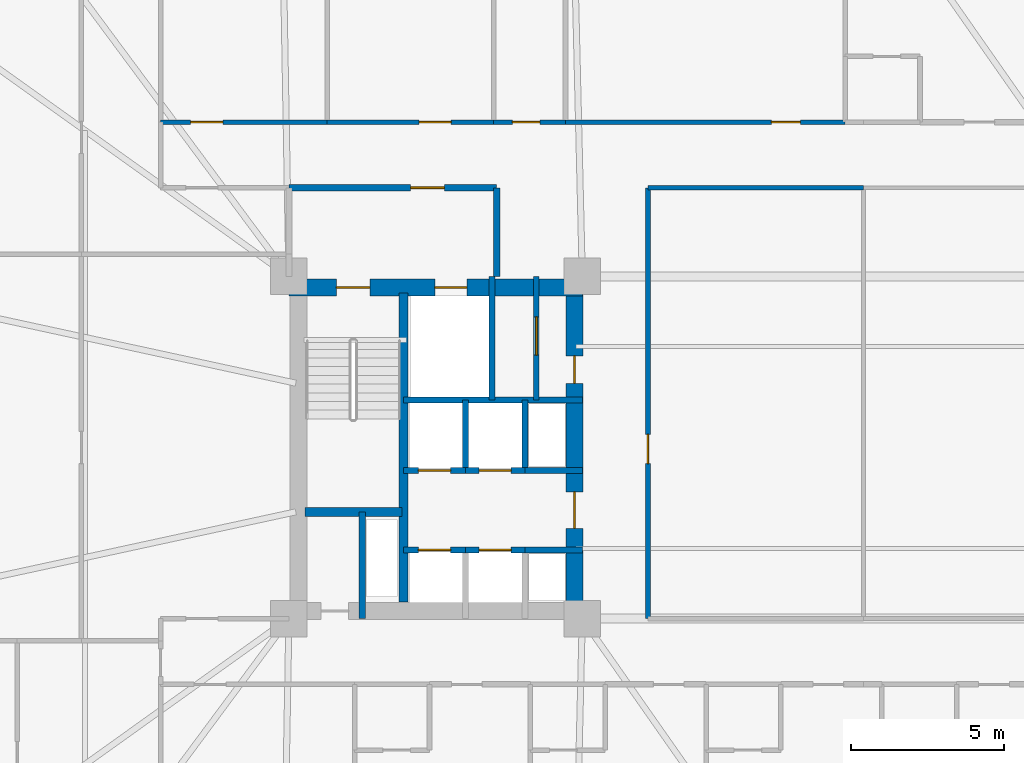
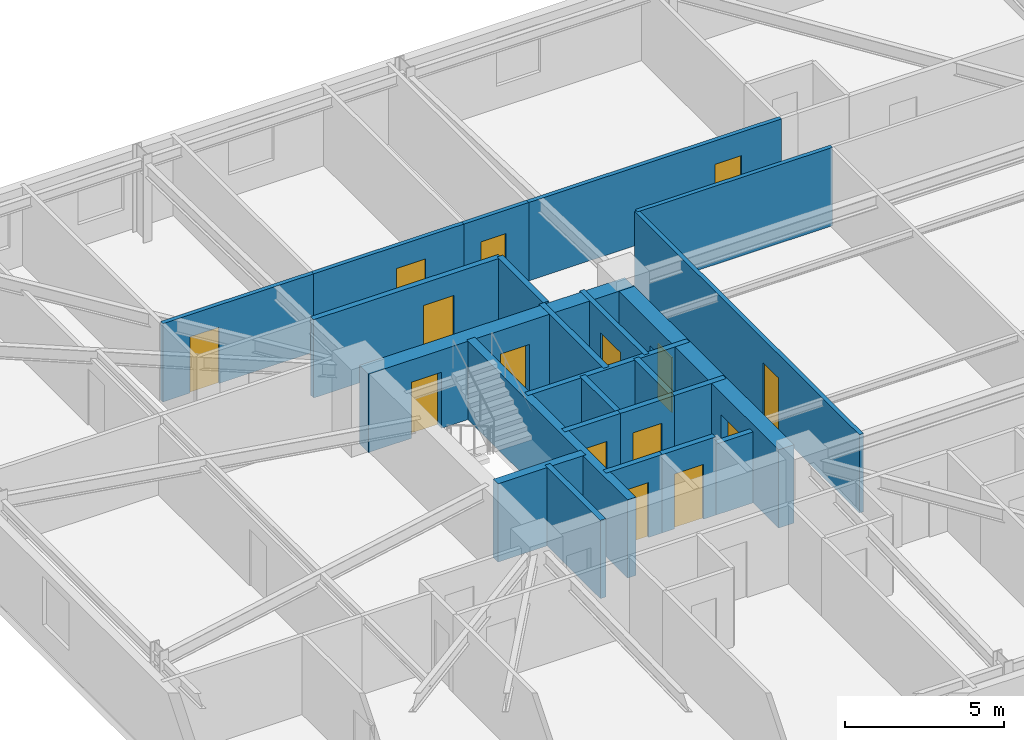
# One storey, part 15 of 20: 24 walls, 15 doors, 15 openings.
"""IFC4 building model written with IfcOpenShell, lengths in metres."""

from ifc_helpers import new_model, si_unit, direction, frame, frame_2d, origin, place, context, subcontext, project, spatial, rectangle, extrude, material, layer, layer_set, type_object, element, fill, save


model = new_model("IFC4")

# Units and contexts
model_context = context("Model", 3, precision=1e-05, world=origin(), true_north=direction((0.0, 1.0)))
body_context = subcontext(model_context, "Body", "Model", "MODEL_VIEW")
ifc_project = project(units=[si_unit("LENGTHUNIT", "METRE"), si_unit("AREAUNIT", "SQUARE_METRE"), si_unit("VOLUMEUNIT", "CUBIC_METRE"), si_unit("PLANEANGLEUNIT", "RADIAN"), si_unit("MASSUNIT", "GRAM", prefix="KILO")], contexts=[model_context])

# Site, building, storey
site_placement = place(None, origin())
site = spatial("IfcSite", under=ifc_project, at=site_placement, CompositionType="ELEMENT")
building_placement = place(site_placement, origin())
building = spatial("IfcBuilding", under=site, at=building_placement, Name="Qobustan Lattice House", CompositionType="ELEMENT")
storey_placement = place(building_placement, frame((0.0, 0.0, 70.550048828125)))
storey = spatial("IfcBuildingStorey", under=building, at=storey_placement, Name="L19", CompositionType="ELEMENT", Elevation=70.550048828125)

# Wall, openings, doors
ifc_material_1 = material(Name="Concrete C60/75", Category="concrete")
ifc_layer_1 = layer(ifc_material_1, 0.56005859375)
ifc_layer_set_1 = layer_set([ifc_layer_1], Name="Concrete C60/75")
wall_type_1 = type_object("IfcWallType", Name="WAL-CORE-600", PredefinedType="SHEAR", material=ifc_layer_set_1)
wall_1_placement = place(storey_placement, frame((-18.800048828125, 5.239990234375, 0.0), z_axis=(0.0, 0.0, 1.0), x_axis=(1.0, 0.0, 0.0)))
wall_1 = element("IfcWall", 1, at=wall_1_placement, inside=storey, type_object=wall_type_1, Name="L19 split-core shear wall CW-N", PredefinedType="SHEAR", context=body_context, shape_type="SweptSolid", body=[
    extrude(rectangle(XDim=9.60009765625, YDim=0.56005859375, at=frame_2d((4.800048828125, 0.0))), origin(), (0.0, 0.0, 1.0), 3.0),
])
opening_1_placement = place(wall_1_placement, frame((1.550048828125, 0.0, 0.0)))
opening_1 = element("IfcOpeningElement", 2, at=opening_1_placement, cuts=wall_1, Name="Opening SD-01", PredefinedType="OPENING", context=body_context, shape_type="SweptSolid", body=[
    extrude(rectangle(XDim=1.10009765625, YDim=2.14990234375, at=frame_2d((0.550048828125, 1.074951171875))), frame((0.0, 0.2900390625, 0.0), z_axis=(0.0, -1.0, 0.0), x_axis=(1.0, 0.0, 0.0)), (0.0, 0.0, 1.0), 0.580078125),
])
opening_2_placement = place(wall_1_placement, frame((4.77490234375, 0.0, 0.0)))
opening_2 = element("IfcOpeningElement", 3, at=opening_2_placement, cuts=wall_1, Name="Opening LD-01", PredefinedType="OPENING", context=body_context, shape_type="SweptSolid", body=[
    extrude(rectangle(XDim=1.050048828125, YDim=2.10009765625, at=frame_2d((0.52490234375, 1.050048828125))), frame((0.0, 0.2900390625, 0.0), z_axis=(0.0, -1.0, 0.0), x_axis=(1.0, 0.0, 0.0)), (0.0, 0.0, 1.0), 0.580078125),
])
ifc_material_2 = material(Name="Persian walnut timber and steel frame door", Category="steel")
door_type_1 = type_object("IfcDoorType", Name="DOR-LIFT-LD-1050x2100", OperationType="NOTDEFINED", PredefinedType="DOOR", material=ifc_material_2)
door_1_placement = place(opening_2_placement, origin())
door_1 = element("IfcDoor", 4, at=door_1_placement, inside=storey, type_object=door_type_1, Name="L19 firefighting lift FF-W landing door", OperationType="DOUBLE_DOOR_SLIDING", OverallHeight=2.10009765625, OverallWidth=1.050048828125, PredefinedType="DOOR", context=body_context, shape_type="SweptSolid", body=[
    extrude(rectangle(XDim=1.050048828125, YDim=2.10009765625, at=frame_2d((0.52490234375, 1.050048828125))), frame((0.0, 0.02490234375, 0.0), z_axis=(0.0, -1.0, 0.0), x_axis=(1.0, 0.0, 0.0)), (0.0, 0.0, 1.0), 0.050048828125),
])
fill(opening_2, door_1)
ifc_material_3 = material(Name="Persian walnut timber and steel frame door", Category="steel")
door_type_2 = type_object("IfcDoorType", Name="DOR-STAIR-FD-1100x2150", OperationType="NOTDEFINED", PredefinedType="DOOR", material=ifc_material_3)
door_2_placement = place(opening_1_placement, origin())
door_2 = element("IfcDoor", 5, at=door_2_placement, inside=storey, type_object=door_type_2, Name="L19 exit stair ST-W1 fire door", OperationType="SINGLE_SWING_LEFT", OverallHeight=2.14990234375, OverallWidth=1.10009765625, PredefinedType="DOOR", context=body_context, shape_type="SweptSolid", body=[
    extrude(rectangle(XDim=1.10009765625, YDim=2.14990234375, at=frame_2d((0.550048828125, 1.074951171875))), frame((0.0, 0.02490234375, 0.0), z_axis=(0.0, -1.0, 0.0), x_axis=(1.0, 0.0, 0.0)), (0.0, 0.0, 1.0), 0.050048828125),
])
fill(opening_1, door_2)

wall_2_placement = place(storey_placement, frame((-9.449951171875, -5.050048828125, 0.0), z_axis=(0.0, 0.0, 1.0), x_axis=(0.0, 1.0, 0.0)))
wall_2 = element("IfcWall", 6, at=wall_2_placement, inside=storey, type_object=wall_type_1, Name="L19 split-core shear wall CW-E", PredefinedType="SHEAR", context=body_context, shape_type="SweptSolid", body=[
    extrude(rectangle(XDim=10.10009765625, YDim=0.56005859375, at=frame_2d((5.050048828125, 0.0))), origin(), (0.0, 0.0, 1.0), 3.0),
])
opening_3_placement = place(wall_2_placement, frame((7.14990234375, 0.0, 0.0)))
opening_3 = element("IfcOpeningElement", 7, at=opening_3_placement, cuts=wall_2, Name="Opening RD-01", PredefinedType="OPENING", context=body_context, shape_type="SweptSolid", body=[
    extrude(rectangle(XDim=0.89990234375, YDim=2.10009765625, at=frame_2d((0.449951171875, 1.050048828125))), frame((0.0, 0.2900390625, 0.0), z_axis=(0.0, -1.0, 0.0), x_axis=(1.0, 0.0, 0.0)), (0.0, 0.0, 1.0), 0.580078125),
])
opening_4_placement = place(wall_2_placement, frame((2.39990234375, 0.0, 0.0)))
opening_4 = element("IfcOpeningElement", 8, at=opening_4_placement, cuts=wall_2, Name="Opening FD-01", PredefinedType="OPENING", context=body_context, shape_type="SweptSolid", body=[
    extrude(rectangle(XDim=1.199951171875, YDim=2.14990234375, at=frame_2d((0.60009765625, 1.074951171875))), frame((0.0, 0.2900390625, 0.0), z_axis=(0.0, -1.0, 0.0), x_axis=(1.0, 0.0, 0.0)), (0.0, 0.0, 1.0), 0.580078125),
])
ifc_material_4 = material(Name="Persian walnut timber and steel frame door", Category="steel")
door_type_3 = type_object("IfcDoorType", Name="DOR-LOBBY-FD-1200x2150", OperationType="NOTDEFINED", PredefinedType="DOOR", material=ifc_material_4)
door_3_placement = place(opening_4_placement, origin())
door_3 = element("IfcDoor", 9, at=door_3_placement, inside=storey, type_object=door_type_3, Name="L19 West passenger lift lobby fire door", OperationType="SINGLE_SWING_RIGHT", OverallHeight=2.14990234375, OverallWidth=1.199951171875, PredefinedType="DOOR", context=body_context, shape_type="SweptSolid", body=[
    extrude(rectangle(XDim=1.199951171875, YDim=2.14990234375, at=frame_2d((0.60009765625, 1.074951171875))), frame((0.0, 0.02490234375, 0.0), z_axis=(0.0, -1.0, 0.0), x_axis=(1.0, 0.0, 0.0)), (0.0, 0.0, 1.0), 0.050048828125),
])
fill(opening_4, door_3)
ifc_material_5 = material(Name="Persian walnut timber and steel frame door", Category="steel")
door_type_4 = type_object("IfcDoorType", Name="DOR-RISER-FD-900x2100", OperationType="NOTDEFINED", PredefinedType="DOOR", material=ifc_material_5)
door_4_placement = place(opening_3_placement, origin())
door_4 = element("IfcDoor", 10, at=door_4_placement, inside=storey, type_object=door_type_4, Name="L19 Data comms closet fire door", OperationType="SINGLE_SWING_LEFT", OverallHeight=2.10009765625, OverallWidth=0.89990234375, PredefinedType="DOOR", context=body_context, shape_type="SweptSolid", body=[
    extrude(rectangle(XDim=0.89990234375, YDim=2.10009765625, at=frame_2d((0.449951171875, 1.050048828125))), frame((0.0, 0.02490234375, 0.0), z_axis=(0.0, -1.0, 0.0), x_axis=(1.0, 0.0, 0.0)), (0.0, 0.0, 1.0), 0.050048828125),
])
fill(opening_3, door_4)

# Walls
ifc_material_6 = material(Name="Concrete C50/60", Category="concrete")
ifc_layer_2 = layer(ifc_material_6, 0.280029296875)
ifc_layer_set_2 = layer_set([ifc_layer_2], Name="Concrete C50/60")
wall_type_2 = type_object("IfcWallType", Name="WAL-CORE-SPINE-280", PredefinedType="SHEAR", material=ifc_layer_set_2)
wall_3_placement = place(storey_placement, frame((-15.050048828125, -5.050048828125, 0.0), z_axis=(0.0, 0.0, 1.0), x_axis=(0.0, 1.0, 0.0)))
element("IfcWall", 11, at=wall_3_placement, inside=storey, type_object=wall_type_2, Name="L19 split-core shear wall CW-M", PredefinedType="SHEAR", context=body_context, shape_type="SweptSolid", body=[
    extrude(rectangle(XDim=10.10009765625, YDim=0.300048828125, at=frame_2d((5.050048828125, 0.0))), origin(), (0.0, 0.0, 1.0), 3.0),
])
wall_4_placement = place(storey_placement, frame((-18.280029296875, -2.110107421875, 0.0), z_axis=(0.0, 0.0, 1.0), x_axis=(1.0, 0.0, 0.0)))
element("IfcWall", 12, at=wall_4_placement, inside=storey, type_object=wall_type_2, Name="L19 split-core shear wall CW-ST", PredefinedType="SHEAR", context=body_context, shape_type="SweptSolid", body=[
    extrude(rectangle(XDim=3.179931640625, YDim=0.300048828125, at=frame_2d((1.58984375, 0.0))), origin(), (0.0, 0.0, 1.0), 3.0),
])

# Wall, opening, door
ifc_material_7 = material(Name="Gypsum fireboard acoustic partition", Category="gypsum")
ifc_layer_3 = layer(ifc_material_7, 0.179931640625)
ifc_layer_set_3 = layer_set([ifc_layer_3], Name="Gypsum fireboard acoustic partition")
wall_type_3 = type_object("IfcWallType", Name="WAL-FIRE-180", PredefinedType="PARTITIONING", material=ifc_layer_set_3)
wall_5_placement = place(storey_placement, frame((-10.699951171875, 5.60009765625, 0.0), z_axis=(0.0, 0.0, 1.0), x_axis=(0.0, -1.0, 0.0)))
wall_5 = element("IfcWall", 13, at=wall_5_placement, inside=storey, type_object=wall_type_3, Name="L19 interior partition 7", PredefinedType="PARTITIONING", context=body_context, shape_type="SweptSolid", body=[
    extrude(rectangle(XDim=4.050048828125, YDim=0.179931640625, at=frame_2d((2.02490234375, 0.0))), origin(), (0.0, 0.0, 1.0), 3.0),
])
opening_5_placement = place(wall_5_placement, frame((1.324951171875, 0.0, 0.0)))
opening_5 = element("IfcOpeningElement", 14, at=opening_5_placement, cuts=wall_5, Name="Opening FD-03", PredefinedType="OPENING", context=body_context, shape_type="SweptSolid", body=[
    extrude(rectangle(XDim=1.25, YDim=2.199951171875, at=frame_2d((0.625, 1.10009765625))), frame((0.0, 0.099853515625, 0.0), z_axis=(0.0, -1.0, 0.0), x_axis=(1.0, 0.0, 0.0)), (0.0, 0.0, 1.0), 0.199951171875),
])
ifc_material_8 = material(Name="Persian walnut timber and steel frame door", Category="steel")
door_type_5 = type_object("IfcDoorType", Name="DOR-PLANT-1250x2200", OperationType="NOTDEFINED", PredefinedType="DOOR", material=ifc_material_8)
door_5_placement = place(opening_5_placement, origin())
door_5 = element("IfcDoor", 15, at=door_5_placement, inside=storey, type_object=door_type_5, Name="L19 Data comms closet to Linen store door", OperationType="SINGLE_SWING_RIGHT", OverallHeight=2.199951171875, OverallWidth=1.25, PredefinedType="DOOR", context=body_context, shape_type="SweptSolid", body=[
    extrude(rectangle(XDim=1.25, YDim=2.199951171875, at=frame_2d((0.625, 1.10009765625))), frame((0.0, 0.02490234375, 0.0), z_axis=(0.0, -1.0, 0.0), x_axis=(1.0, 0.0, 0.0)), (0.0, 0.0, 1.0), 0.050048828125),
])
fill(opening_5, door_5)

ifc_material_9 = material(Name="Acoustic twin-stud gypsum partition", Category="gypsum")
ifc_layer_4 = layer(ifc_material_9, 0.14990234375)
ifc_layer_set_4 = layer_set([ifc_layer_4], Name="Acoustic twin-stud gypsum partition")
wall_type_4 = type_object("IfcWallType", Name="WAL-PART-150", PredefinedType="PARTITIONING", material=ifc_layer_set_4)
wall_6_placement = place(storey_placement, frame((-23.0, 10.64990234375, 0.0), z_axis=(0.0, 0.0, 1.0), x_axis=(1.0, 0.0, 0.0)))
wall_6 = element("IfcWall", 16, at=wall_6_placement, inside=storey, type_object=wall_type_4, Name="L19 interior partition 41", PredefinedType="PARTITIONING", context=body_context, shape_type="SweptSolid", body=[
    extrude(rectangle(XDim=5.449951171875, YDim=0.14990234375, at=frame_2d((2.72509765625, 0.0))), origin(), (0.0, 0.0, 1.0), 3.0),
])
opening_6_placement = place(wall_6_placement, frame((0.985107421875, 0.0, 0.0)))
opening_6 = element("IfcOpeningElement", 17, at=opening_6_placement, cuts=wall_6, Name="Opening ID-02", PredefinedType="OPENING", context=body_context, shape_type="SweptSolid", body=[
    extrude(rectangle(XDim=1.050048828125, YDim=2.14990234375, at=frame_2d((0.52490234375, 1.074951171875))), frame((0.0, 0.0849609375, 0.0), z_axis=(0.0, -1.0, 0.0), x_axis=(1.0, 0.0, 0.0)), (0.0, 0.0, 1.0), 0.169921875),
])
ifc_material_10 = material(Name="Persian walnut timber and steel frame door", Category="steel")
door_type_6 = type_object("IfcDoorType", Name="DOR-STUDY-1050x2150", OperationType="NOTDEFINED", PredefinedType="DOOR", material=ifc_material_10)
door_6_placement = place(opening_6_placement, origin())
door_6 = element("IfcDoor", 18, at=door_6_placement, inside=storey, type_object=door_type_6, Name="L19 North-west floor corridor to Focus study room N1A door", OperationType="SINGLE_SWING_RIGHT", OverallHeight=2.14990234375, OverallWidth=1.050048828125, PredefinedType="DOOR", context=body_context, shape_type="SweptSolid", body=[
    extrude(rectangle(XDim=1.050048828125, YDim=2.14990234375, at=frame_2d((0.52490234375, 1.074951171875))), frame((0.0, 0.02490234375, 0.0), z_axis=(0.0, -1.0, 0.0), x_axis=(1.0, 0.0, 0.0)), (0.0, 0.0, 1.0), 0.050048828125),
])
fill(opening_6, door_6)

wall_7_placement = place(storey_placement, frame((-17.550048828125, 10.64990234375, 0.0), z_axis=(0.0, 0.0, 1.0), x_axis=(1.0, 0.0, 0.0)))
wall_7 = element("IfcWall", 19, at=wall_7_placement, inside=storey, type_object=wall_type_4, Name="L19 interior partition 42", PredefinedType="PARTITIONING", context=body_context, shape_type="SweptSolid", body=[
    extrude(rectangle(XDim=5.449951171875, YDim=0.14990234375, at=frame_2d((2.72509765625, 0.0))), origin(), (0.0, 0.0, 1.0), 3.0),
])
opening_7_placement = place(wall_7_placement, frame((3.010009765625, 0.0, 0.0)))
opening_7 = element("IfcOpeningElement", 20, at=opening_7_placement, cuts=wall_7, Name="Opening ID-02", PredefinedType="OPENING", context=body_context, shape_type="SweptSolid", body=[
    extrude(rectangle(XDim=1.050048828125, YDim=2.14990234375, at=frame_2d((0.52490234375, 1.074951171875))), frame((0.0, 0.0849609375, 0.0), z_axis=(0.0, -1.0, 0.0), x_axis=(1.0, 0.0, 0.0)), (0.0, 0.0, 1.0), 0.169921875),
])
door_7_placement = place(opening_7_placement, origin())
door_7 = element("IfcDoor", 21, at=door_7_placement, inside=storey, type_object=door_type_6, Name="L19 North-west floor corridor to Focus study room N1B door", OperationType="SINGLE_SWING_LEFT", OverallHeight=2.14990234375, OverallWidth=1.050048828125, PredefinedType="DOOR", context=body_context, shape_type="SweptSolid", body=[
    extrude(rectangle(XDim=1.050048828125, YDim=2.14990234375, at=frame_2d((0.52490234375, 1.074951171875))), frame((0.0, 0.02490234375, 0.0), z_axis=(0.0, -1.0, 0.0), x_axis=(1.0, 0.0, 0.0)), (0.0, 0.0, 1.0), 0.050048828125),
])
fill(opening_7, door_7)

wall_8_placement = place(storey_placement, frame((-9.75, 10.64990234375, 0.0), z_axis=(0.0, 0.0, 1.0), x_axis=(1.0, 0.0, 0.0)))
wall_8 = element("IfcWall", 22, at=wall_8_placement, inside=storey, type_object=wall_type_4, Name="L19 interior partition 44", PredefinedType="PARTITIONING", context=body_context, shape_type="SweptSolid", body=[
    extrude(rectangle(XDim=9.14990234375, YDim=0.14990234375, at=frame_2d((4.574951171875, 0.0))), origin(), (0.0, 0.0, 1.0), 3.0),
])
opening_8_placement = place(wall_8_placement, frame((6.739990234375, 0.0, 0.0)))
opening_8 = element("IfcOpeningElement", 23, at=opening_8_placement, cuts=wall_8, Name="Opening ID-01", PredefinedType="OPENING", context=body_context, shape_type="SweptSolid", body=[
    extrude(rectangle(XDim=0.949951171875, YDim=2.10009765625, at=frame_2d((0.47509765625, 1.050048828125))), frame((0.0, 0.0849609375, 0.0), z_axis=(0.0, -1.0, 0.0), x_axis=(1.0, 0.0, 0.0)), (0.0, 0.0, 1.0), 0.169921875),
])
ifc_material_11 = material(Name="Persian walnut timber and steel frame door", Category="steel")
door_type_7 = type_object("IfcDoorType", Name="DOR-ROOM-950x2100", OperationType="NOTDEFINED", PredefinedType="DOOR", material=ifc_material_11)
door_8_placement = place(opening_8_placement, origin())
door_8 = element("IfcDoor", 24, at=door_8_placement, inside=storey, type_object=door_type_7, Name="L19 North-west floor corridor to Laundry utility room door", OperationType="SINGLE_SWING_LEFT", OverallHeight=2.10009765625, OverallWidth=0.949951171875, PredefinedType="DOOR", context=body_context, shape_type="SweptSolid", body=[
    extrude(rectangle(XDim=0.949951171875, YDim=2.10009765625, at=frame_2d((0.47509765625, 1.050048828125))), frame((0.0, 0.02490234375, 0.0), z_axis=(0.0, -1.0, 0.0), x_axis=(1.0, 0.0, 0.0)), (0.0, 0.0, 1.0), 0.050048828125),
])
fill(opening_8, door_8)

# Wall
wall_9_placement = place(storey_placement, frame((0.0, 8.5, 0.0), z_axis=(0.0, 0.0, 1.0), x_axis=(-1.0, 0.0, 0.0)))
element("IfcWall", 25, at=wall_9_placement, inside=storey, type_object=wall_type_4, Name="L19 interior partition 46", PredefinedType="PARTITIONING", context=body_context, shape_type="SweptSolid", body=[
    extrude(rectangle(XDim=7.050048828125, YDim=0.14990234375, at=frame_2d((3.52490234375, 0.0))), origin(), (0.0, 0.0, 1.0), 3.0),
])

# Wall, opening, door
wall_10_placement = place(storey_placement, frame((-7.050048828125, 8.5, 0.0), z_axis=(0.0, 0.0, 1.0), x_axis=(0.0, -1.0, 0.0)))
wall_10 = element("IfcWall", 26, at=wall_10_placement, inside=storey, type_object=wall_type_4, Name="L19 interior partition 76", PredefinedType="PARTITIONING", context=body_context, shape_type="SweptSolid", body=[
    extrude(rectangle(XDim=14.10009765625, YDim=0.14990234375, at=frame_2d((7.050048828125, 0.0))), origin(), (0.0, 0.0, 1.0), 3.0),
])
opening_9_placement = place(wall_10_placement, frame((8.07373046875, 0.0, 0.0)))
opening_9 = element("IfcOpeningElement", 27, at=opening_9_placement, cuts=wall_10, Name="Opening ID-01", PredefinedType="OPENING", context=body_context, shape_type="SweptSolid", body=[
    extrude(rectangle(XDim=0.949951171875, YDim=2.10009765625, at=frame_2d((0.47509765625, 1.050048828125))), frame((0.0, 0.0849609375, 0.0), z_axis=(0.0, -1.0, 0.0), x_axis=(1.0, 0.0, 0.0)), (0.0, 0.0, 1.0), 0.169921875),
])
door_9_placement = place(opening_9_placement, origin())
door_9 = element("IfcDoor", 28, at=door_9_placement, inside=storey, type_object=door_type_7, Name="L19 West floor link corridor to Design studio workspace door", OperationType="SINGLE_SWING_LEFT", OverallHeight=2.10009765625, OverallWidth=0.949951171875, PredefinedType="DOOR", context=body_context, shape_type="SweptSolid", body=[
    extrude(rectangle(XDim=0.949951171875, YDim=2.10009765625, at=frame_2d((0.47509765625, 1.050048828125))), frame((0.0, 0.02490234375, 0.0), z_axis=(0.0, -1.0, 0.0), x_axis=(1.0, 0.0, 0.0)), (0.0, 0.0, 1.0), 0.050048828125),
])
fill(opening_9, door_9)

ifc_material_12 = material(Name="Two-hour gypsum fireboard acoustic partition", Category="gypsum")
ifc_layer_5 = layer(ifc_material_12, 0.199951171875)
ifc_layer_set_5 = layer_set([ifc_layer_5], Name="Two-hour gypsum fireboard acoustic partition")
wall_type_5 = type_object("IfcWallType", Name="WAL-PROT-200", PredefinedType="PARTITIONING", material=ifc_layer_set_5)
wall_11_placement = place(storey_placement, frame((-12.0, 8.5, 0.0), z_axis=(0.0, 0.0, 1.0), x_axis=(-1.0, 0.0, 0.0)))
wall_11 = element("IfcWall", 29, at=wall_11_placement, inside=storey, type_object=wall_type_5, Name="L19 interior partition 3", PredefinedType="PARTITIONING", context=body_context, shape_type="SweptSolid", body=[
    extrude(rectangle(XDim=6.800048828125, YDim=0.199951171875, at=frame_2d((3.39990234375, 0.0))), origin(), (0.0, 0.0, 1.0), 3.0),
])
opening_10_placement = place(wall_11_placement, frame((1.715087890625, 0.0, 0.0)))
opening_10 = element("IfcOpeningElement", 30, at=opening_10_placement, cuts=wall_11, Name="Opening SD-01", PredefinedType="OPENING", context=body_context, shape_type="SweptSolid", body=[
    extrude(rectangle(XDim=1.10009765625, YDim=2.14990234375, at=frame_2d((0.550048828125, 1.074951171875))), frame((0.0, 0.10986328125, 0.0), z_axis=(0.0, -1.0, 0.0), x_axis=(1.0, 0.0, 0.0)), (0.0, 0.0, 1.0), 0.219970703125),
])
door_10_placement = place(opening_10_placement, origin())
door_10 = element("IfcDoor", 31, at=door_10_placement, inside=storey, type_object=door_type_2, Name="L19 West firefighting lift lobby to North-west floor corridor door", OperationType="SINGLE_SWING_LEFT", OverallHeight=2.14990234375, OverallWidth=1.10009765625, PredefinedType="DOOR", context=body_context, shape_type="SweptSolid", body=[
    extrude(rectangle(XDim=1.10009765625, YDim=2.14990234375, at=frame_2d((0.550048828125, 1.074951171875))), frame((0.0, 0.02490234375, 0.0), z_axis=(0.0, -1.0, 0.0), x_axis=(1.0, 0.0, 0.0)), (0.0, 0.0, 1.0), 0.050048828125),
])
fill(opening_10, door_10)

# Walls
wall_12_placement = place(storey_placement, frame((-12.0, 5.60009765625, 0.0), z_axis=(0.0, 0.0, 1.0), x_axis=(0.0, 1.0, 0.0)))
element("IfcWall", 32, at=wall_12_placement, inside=storey, type_object=wall_type_5, Name="L19 interior partition 4", PredefinedType="PARTITIONING", context=body_context, shape_type="SweptSolid", body=[
    extrude(rectangle(XDim=2.89990234375, YDim=0.199951171875, at=frame_2d((1.449951171875, 0.0))), origin(), (0.0, 0.0, 1.0), 3.0),
])
ifc_material_13 = material(Name="Concrete C40/50", Category="concrete")
ifc_layer_6 = layer(ifc_material_13, 0.199951171875)
ifc_layer_set_6 = layer_set([ifc_layer_6], Name="Concrete C40/50")
wall_type_6 = type_object("IfcWallType", Name="WAL-SHAFT-200", PredefinedType="PARTITIONING", material=ifc_layer_set_6)
wall_13_placement = place(storey_placement, frame((-16.39990234375, -5.60009765625, 0.0), z_axis=(0.0, 0.0, 1.0), x_axis=(0.0, 1.0, 0.0)))
element("IfcWall", 33, at=wall_13_placement, inside=storey, type_object=wall_type_6, Name="L19 interior partition 1", PredefinedType="PARTITIONING", context=body_context, shape_type="SweptSolid", body=[
    extrude(rectangle(XDim=3.489990234375, YDim=0.199951171875, at=frame_2d((1.7451171875, 0.0))), origin(), (0.0, 0.0, 1.0), 3.0),
])
wall_14_placement = place(storey_placement, frame((-12.14990234375, 1.550048828125, 0.0), z_axis=(0.0, 0.0, 1.0), x_axis=(0.0, 1.0, 0.0)))
element("IfcWall", 34, at=wall_14_placement, inside=storey, type_object=wall_type_6, Name="L19 interior partition 2", PredefinedType="PARTITIONING", context=body_context, shape_type="SweptSolid", body=[
    extrude(rectangle(XDim=4.050048828125, YDim=0.199951171875, at=frame_2d((2.02490234375, 0.0))), origin(), (0.0, 0.0, 1.0), 3.0),
])

# Wall, opening, door
wall_15_placement = place(storey_placement, frame((-15.050048828125, -3.35009765625, 0.0), z_axis=(0.0, 0.0, 1.0), x_axis=(1.0, 0.0, 0.0)))
wall_15 = element("IfcWall", 35, at=wall_15_placement, inside=storey, type_object=wall_type_6, Name="L19 interior partition 9", PredefinedType="PARTITIONING", context=body_context, shape_type="SweptSolid", body=[
    extrude(rectangle(XDim=2.030029296875, YDim=0.199951171875, at=frame_2d((1.01513671875, 0.0))), origin(), (0.0, 0.0, 1.0), 3.0),
])
opening_11_placement = place(wall_15_placement, frame((0.489990234375, 0.0, 0.0)))
opening_11 = element("IfcOpeningElement", 36, at=opening_11_placement, cuts=wall_15, Name="Opening LD-01", PredefinedType="OPENING", context=body_context, shape_type="SweptSolid", body=[
    extrude(rectangle(XDim=1.050048828125, YDim=2.10009765625, at=frame_2d((0.52490234375, 1.050048828125))), frame((0.0, 0.10986328125, 0.0), z_axis=(0.0, -1.0, 0.0), x_axis=(1.0, 0.0, 0.0)), (0.0, 0.0, 1.0), 0.219970703125),
])
door_11_placement = place(opening_11_placement, origin())
door_11 = element("IfcDoor", 37, at=door_11_placement, inside=storey, type_object=door_type_1, Name="L19 lift landing door", OperationType="DOUBLE_DOOR_SLIDING", OverallHeight=2.10009765625, OverallWidth=1.050048828125, PredefinedType="DOOR", context=body_context, shape_type="SweptSolid", body=[
    extrude(rectangle(XDim=1.050048828125, YDim=2.10009765625, at=frame_2d((0.52490234375, 1.050048828125))), frame((0.0, 0.02490234375, 0.0), z_axis=(0.0, -1.0, 0.0), x_axis=(1.0, 0.0, 0.0)), (0.0, 0.0, 1.0), 0.050048828125),
])
fill(opening_11, door_11)

wall_16_placement = place(storey_placement, frame((-13.02001953125, -3.35009765625, 0.0), z_axis=(0.0, 0.0, 1.0), x_axis=(1.0, 0.0, 0.0)))
wall_16 = element("IfcWall", 38, at=wall_16_placement, inside=storey, type_object=wall_type_6, Name="L19 interior partition 10", PredefinedType="PARTITIONING", context=body_context, shape_type="SweptSolid", body=[
    extrude(rectangle(XDim=1.93994140625, YDim=0.199951171875, at=frame_2d((0.969970703125, 0.0))), origin(), (0.0, 0.0, 1.0), 3.0),
])
opening_12_placement = place(wall_16_placement, frame((0.445068359375, 0.0, 0.0)))
opening_12 = element("IfcOpeningElement", 39, at=opening_12_placement, cuts=wall_16, Name="Opening LD-01", PredefinedType="OPENING", context=body_context, shape_type="SweptSolid", body=[
    extrude(rectangle(XDim=1.050048828125, YDim=2.10009765625, at=frame_2d((0.52490234375, 1.050048828125))), frame((0.0, 0.10986328125, 0.0), z_axis=(0.0, -1.0, 0.0), x_axis=(1.0, 0.0, 0.0)), (0.0, 0.0, 1.0), 0.219970703125),
])
door_12_placement = place(opening_12_placement, origin())
door_12 = element("IfcDoor", 40, at=door_12_placement, inside=storey, type_object=door_type_1, Name="L19 lift landing door", OperationType="DOUBLE_DOOR_SLIDING", OverallHeight=2.10009765625, OverallWidth=1.050048828125, PredefinedType="DOOR", context=body_context, shape_type="SweptSolid", body=[
    extrude(rectangle(XDim=1.050048828125, YDim=2.10009765625, at=frame_2d((0.52490234375, 1.050048828125))), frame((0.0, 0.02490234375, 0.0), z_axis=(0.0, -1.0, 0.0), x_axis=(1.0, 0.0, 0.0)), (0.0, 0.0, 1.0), 0.050048828125),
])
fill(opening_12, door_12)

# Wall
wall_17_placement = place(storey_placement, frame((-11.080078125, -3.35009765625, 0.0), z_axis=(0.0, 0.0, 1.0), x_axis=(1.0, 0.0, 0.0)))
element("IfcWall", 41, at=wall_17_placement, inside=storey, type_object=wall_type_6, Name="L19 interior partition 11", PredefinedType="PARTITIONING", context=body_context, shape_type="SweptSolid", body=[
    extrude(rectangle(XDim=1.880126953125, YDim=0.199951171875, at=frame_2d((0.93994140625, 0.0))), origin(), (0.0, 0.0, 1.0), 2.71484375),
])

# Wall, opening, door
wall_18_placement = place(storey_placement, frame((-13.02001953125, -0.75, 0.0), z_axis=(0.0, 0.0, 1.0), x_axis=(-1.0, 0.0, 0.0)))
wall_18 = element("IfcWall", 42, at=wall_18_placement, inside=storey, type_object=wall_type_6, Name="L19 interior partition 12", PredefinedType="PARTITIONING", context=body_context, shape_type="SweptSolid", body=[
    extrude(rectangle(XDim=2.030029296875, YDim=0.199951171875, at=frame_2d((1.01513671875, 0.0))), origin(), (0.0, 0.0, 1.0), 3.0),
])
opening_13_placement = place(wall_18_placement, frame((0.489990234375, 0.0, 0.0)))
opening_13 = element("IfcOpeningElement", 43, at=opening_13_placement, cuts=wall_18, Name="Opening LD-01", PredefinedType="OPENING", context=body_context, shape_type="SweptSolid", body=[
    extrude(rectangle(XDim=1.050048828125, YDim=2.10009765625, at=frame_2d((0.52490234375, 1.050048828125))), frame((0.0, 0.10986328125, 0.0), z_axis=(0.0, -1.0, 0.0), x_axis=(1.0, 0.0, 0.0)), (0.0, 0.0, 1.0), 0.219970703125),
])
door_13_placement = place(opening_13_placement, origin())
door_13 = element("IfcDoor", 44, at=door_13_placement, inside=storey, type_object=door_type_1, Name="L19 lift landing door", OperationType="DOUBLE_DOOR_SLIDING", OverallHeight=2.10009765625, OverallWidth=1.050048828125, PredefinedType="DOOR", context=body_context, shape_type="SweptSolid", body=[
    extrude(rectangle(XDim=1.050048828125, YDim=2.10009765625, at=frame_2d((0.52490234375, 1.050048828125))), frame((0.0, 0.02490234375, 0.0), z_axis=(0.0, -1.0, 0.0), x_axis=(1.0, 0.0, 0.0)), (0.0, 0.0, 1.0), 0.050048828125),
])
fill(opening_13, door_13)

wall_19_placement = place(storey_placement, frame((-11.080078125, -0.75, 0.0), z_axis=(0.0, 0.0, 1.0), x_axis=(-1.0, 0.0, 0.0)))
wall_19 = element("IfcWall", 45, at=wall_19_placement, inside=storey, type_object=wall_type_6, Name="L19 interior partition 13", PredefinedType="PARTITIONING", context=body_context, shape_type="SweptSolid", body=[
    extrude(rectangle(XDim=1.93994140625, YDim=0.199951171875, at=frame_2d((0.969970703125, 0.0))), origin(), (0.0, 0.0, 1.0), 3.0),
])
opening_14_placement = place(wall_19_placement, frame((0.445068359375, 0.0, 0.0)))
opening_14 = element("IfcOpeningElement", 46, at=opening_14_placement, cuts=wall_19, Name="Opening LD-01", PredefinedType="OPENING", context=body_context, shape_type="SweptSolid", body=[
    extrude(rectangle(XDim=1.050048828125, YDim=2.10009765625, at=frame_2d((0.52490234375, 1.050048828125))), frame((0.0, 0.10986328125, 0.0), z_axis=(0.0, -1.0, 0.0), x_axis=(1.0, 0.0, 0.0)), (0.0, 0.0, 1.0), 0.219970703125),
])
door_14_placement = place(opening_14_placement, origin())
door_14 = element("IfcDoor", 47, at=door_14_placement, inside=storey, type_object=door_type_1, Name="L19 lift landing door", OperationType="DOUBLE_DOOR_SLIDING", OverallHeight=2.10009765625, OverallWidth=1.050048828125, PredefinedType="DOOR", context=body_context, shape_type="SweptSolid", body=[
    extrude(rectangle(XDim=1.050048828125, YDim=2.10009765625, at=frame_2d((0.52490234375, 1.050048828125))), frame((0.0, 0.02490234375, 0.0), z_axis=(0.0, -1.0, 0.0), x_axis=(1.0, 0.0, 0.0)), (0.0, 0.0, 1.0), 0.050048828125),
])
fill(opening_14, door_14)

# Walls
wall_20_placement = place(storey_placement, frame((-9.199951171875, -0.75, 0.0), z_axis=(0.0, 0.0, 1.0), x_axis=(-1.0, 0.0, 0.0)))
element("IfcWall", 48, at=wall_20_placement, inside=storey, type_object=wall_type_6, Name="L19 interior partition 14", PredefinedType="PARTITIONING", context=body_context, shape_type="SweptSolid", body=[
    extrude(rectangle(XDim=1.880126953125, YDim=0.199951171875, at=frame_2d((0.93994140625, 0.0))), origin(), (0.0, 0.0, 1.0), 3.0),
])
for number, where, z_axis, x_axis, name in (
    (49, (-13.02001953125, -0.75, 0.0), (0.0, 0.0, 1.0), (0.0, 1.0, 0.0), "L19 interior partition 18"),
    (50, (-11.080078125, -0.75, 0.0), (0.0, 0.0, 1.0), (0.0, 1.0, 0.0), "L19 interior partition 19"),
):
    element("IfcWall", number, at=place(storey_placement, frame(where, z_axis=z_axis, x_axis=x_axis)), inside=storey, type_object=wall_type_6, Name=name, PredefinedType="PARTITIONING", context=body_context, shape_type="SweptSolid", body=[
        extrude(rectangle(XDim=2.300048828125, YDim=0.199951171875, at=frame_2d((1.14990234375, 0.0))), origin(), (0.0, 0.0, 1.0), 3.0),
    ])
wall_21_placement = place(storey_placement, frame((-15.050048828125, 1.550048828125, 0.0), z_axis=(0.0, 0.0, 1.0), x_axis=(1.0, 0.0, 0.0)))
element("IfcWall", 51, at=wall_21_placement, inside=storey, type_object=wall_type_6, Name="L19 interior partition 126", PredefinedType="PARTITIONING", context=body_context, shape_type="SweptSolid", body=[
    extrude(rectangle(XDim=5.85009765625, YDim=0.199951171875, at=frame_2d((2.925048828125, 0.0))), origin(), (0.0, 0.0, 1.0), 3.0),
])

# Wall, opening, door
ifc_material_14 = material(Name="Moisture-resistant acoustic plumbing wall", Category="gypsum")
ifc_layer_7 = layer(ifc_material_14, 0.14990234375)
ifc_layer_set_7 = layer_set([ifc_layer_7], Name="Moisture-resistant acoustic plumbing wall")
wall_type_7 = type_object("IfcWallType", Name="WAL-WET-150", PredefinedType="PLUMBINGWALL", material=ifc_layer_set_7)
wall_22_placement = place(storey_placement, frame((-12.10009765625, 10.64990234375, 0.0), z_axis=(0.0, 0.0, 1.0), x_axis=(1.0, 0.0, 0.0)))
wall_22 = element("IfcWall", 52, at=wall_22_placement, inside=storey, type_object=wall_type_7, Name="L19 interior partition 43", PredefinedType="PLUMBINGWALL", context=body_context, shape_type="SweptSolid", body=[
    extrude(rectangle(XDim=2.35009765625, YDim=0.14990234375, at=frame_2d((1.175048828125, 0.0))), origin(), (0.0, 0.0, 1.0), 3.0),
])
opening_15_placement = place(wall_22_placement, frame((0.6162109375, 0.0, 0.0)))
opening_15 = element("IfcOpeningElement", 53, at=opening_15_placement, cuts=wall_22, Name="Opening WD-01", PredefinedType="OPENING", context=body_context, shape_type="SweptSolid", body=[
    extrude(rectangle(XDim=0.89990234375, YDim=2.10009765625, at=frame_2d((0.449951171875, 1.050048828125))), frame((0.0, 0.0849609375, 0.0), z_axis=(0.0, -1.0, 0.0), x_axis=(1.0, 0.0, 0.0)), (0.0, 0.0, 1.0), 0.169921875),
])
ifc_material_15 = material(Name="Persian walnut timber and steel frame door", Category="steel")
door_type_8 = type_object("IfcDoorType", Name="DOR-WET-900x2100", OperationType="NOTDEFINED", PredefinedType="DOOR", material=ifc_material_15)
door_15_placement = place(opening_15_placement, origin())
door_15 = element("IfcDoor", 54, at=door_15_placement, inside=storey, type_object=door_type_8, Name="L19 North-west floor corridor to Accessible WC door", OperationType="SINGLE_SWING_RIGHT", OverallHeight=2.10009765625, OverallWidth=0.89990234375, PredefinedType="DOOR", context=body_context, shape_type="SweptSolid", body=[
    extrude(rectangle(XDim=0.89990234375, YDim=2.10009765625, at=frame_2d((0.449951171875, 1.050048828125))), frame((0.0, 0.02490234375, 0.0), z_axis=(0.0, -1.0, 0.0), x_axis=(1.0, 0.0, 0.0)), (0.0, 0.0, 1.0), 0.050048828125),
])
fill(opening_15, door_15)

save(model, "model.ifc")
